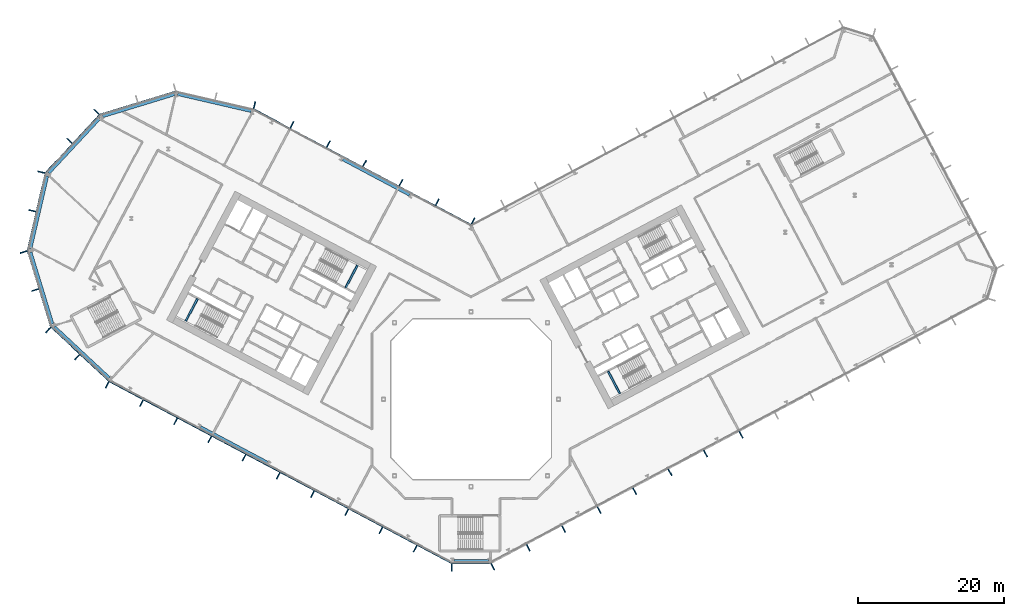
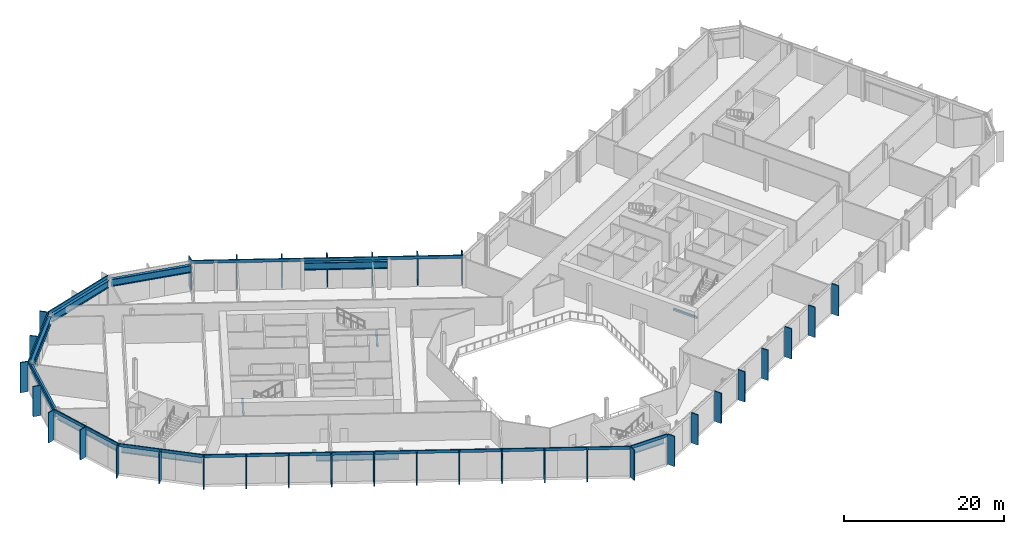
# One storey, part 7 of 32: 42 members, 12 beams, 10 elements without a shape of their own.
"""IFC4 building model written with IfcOpenShell, lengths in metres."""

from ifc_helpers import new_model, si_unit, direction, frame, origin, origin_2d, place, context, subcontext, project, spatial, rectangle, i_section, extrude, material, layer, layer_set, material_profile, profile_set, type_object, element, aggregate, save


model = new_model("IFC4")

# Units and contexts
model_context = context("Model", 3, precision=1e-05, world=origin(), true_north=direction((0.0, 1.0)))
body_context = subcontext(model_context, "Body", "Model", "MODEL_VIEW")
ifc_project = project(units=[si_unit("LENGTHUNIT", "METRE"), si_unit("AREAUNIT", "SQUARE_METRE"), si_unit("VOLUMEUNIT", "CUBIC_METRE"), si_unit("PLANEANGLEUNIT", "RADIAN"), si_unit("MASSUNIT", "GRAM", prefix="KILO")], contexts=[model_context])

# Site, building, storey
site_placement = place(None, origin())
site = spatial("IfcSite", under=ifc_project, at=site_placement, CompositionType="ELEMENT")
building_placement = place(site_placement, origin())
building = spatial("IfcBuilding", under=site, at=building_placement, Name="Cormorant Relay Tower", CompositionType="ELEMENT")
storey_placement = place(building_placement, frame((0.0, 0.0, 75.39990234375)))
storey = spatial("IfcBuildingStorey", under=building, at=storey_placement, Name="L14", CompositionType="ELEMENT", Elevation=75.39990234375)

# Curtain wall, member
ifc_material_1 = material(Name="Aluminium 6063-T6 anodised bronze", Category="aluminium")
ifc_layer = layer(ifc_material_1, 0.199951171875)
ifc_layer_set = layer_set([ifc_layer], Name="CW1 unitised bronze curtain wall with vertical fins")
curtain_wall_type = type_object("IfcCurtainWallType", Name="CW1 unitised bronze curtain wall with vertical fins", PredefinedType="NOTDEFINED", material=ifc_layer_set)
curtain_wall_1_placement = place(storey_placement, origin())
curtain_wall_1 = element("IfcCurtainWall", 1, at=curtain_wall_1_placement, inside=storey, type_object=curtain_wall_type, Name="CW1 curtain wall 1", PredefinedType="NOTDEFINED")
ifc_material_2 = material(Name="Aluminium 6063-T6 anodised bronze", Category="aluminium")
ifc_material_profile_1 = material_profile(ifc_material_2, rectangle(XDim=0.14990234375, YDim=1.0, at=origin_2d()), Name="AL 150x1000")
ifc_profile_set_1 = profile_set([ifc_material_profile_1], Name="Aluminium 6063-T6 anodised bronze")
member_type_1 = type_object("IfcMemberType", Name="CW1 bronze fin mullion 150 x 1000", PredefinedType="MULLION", material=ifc_profile_set_1)
member_1_placement = place(storey_placement, frame((-2.648681640625, -23.07568359375, 0.0), z_axis=(0.0, 0.0, 1.0), x_axis=(1.0, 0.0, 0.0)))
member_1 = element("IfcMember", 2, at=member_1_placement, type_object=member_type_1, Name="CW1 fin 1.1", PredefinedType="MULLION", context=body_context, shape_type="SweptSolid", body=[
    extrude(rectangle(XDim=0.14990234375, YDim=1.0, at=origin_2d()), origin(), (0.0, 0.0, 1.0), 4.60009765625),
])

# Curtain wall, members
curtain_wall_2_placement = place(storey_placement, origin())
curtain_wall_2 = element("IfcCurtainWall", 3, at=curtain_wall_2_placement, inside=storey, type_object=curtain_wall_type, Name="CW1 curtain wall 2", PredefinedType="NOTDEFINED")
member_2_placement = place(storey_placement, frame((2.9775390625, -22.99365234375, 0.0), z_axis=(0.0, 0.0, 1.0), x_axis=(0.882947592859, 0.469471562786, 0.0)))
member_2 = element("IfcMember", 4, at=member_2_placement, type_object=member_type_1, Name="CW1 fin 2.1", PredefinedType="MULLION", context=body_context, shape_type="SweptSolid", body=[
    extrude(rectangle(XDim=0.14990234375, YDim=1.0, at=origin_2d()), origin(), (0.0, 0.0, 1.0), 4.60009765625),
])
member_3_placement = place(storey_placement, frame((7.843994140625, -20.406005859375, 0.0), z_axis=(0.0, 0.0, 1.0), x_axis=(0.882947592859, 0.469471562786, 0.0)))
member_3 = element("IfcMember", 5, at=member_3_placement, type_object=member_type_1, Name="CW1 fin 2.2", PredefinedType="MULLION", context=body_context, shape_type="SweptSolid", body=[
    extrude(rectangle(XDim=0.14990234375, YDim=1.0, at=origin_2d()), origin(), (0.0, 0.0, 1.0), 4.60009765625),
])
member_4_placement = place(storey_placement, frame((12.710693359375, -17.818359375, 0.0), z_axis=(0.0, 0.0, 1.0), x_axis=(0.882947592859, 0.469471562786, 0.0)))
member_4 = element("IfcMember", 6, at=member_4_placement, type_object=member_type_1, Name="CW1 fin 2.3", PredefinedType="MULLION", context=body_context, shape_type="SweptSolid", body=[
    extrude(rectangle(XDim=0.14990234375, YDim=1.0, at=origin_2d()), origin(), (0.0, 0.0, 1.0), 4.60009765625),
])
member_5_placement = place(storey_placement, frame((17.577392578125, -15.230712890625, 0.0), z_axis=(0.0, 0.0, 1.0), x_axis=(0.882947592859, 0.469471562786, 0.0)))
member_5 = element("IfcMember", 7, at=member_5_placement, type_object=member_type_1, Name="CW1 fin 2.4", PredefinedType="MULLION", context=body_context, shape_type="SweptSolid", body=[
    extrude(rectangle(XDim=0.14990234375, YDim=1.0, at=origin_2d()), origin(), (0.0, 0.0, 1.0), 4.60009765625),
])
member_6_placement = place(storey_placement, frame((22.444091796875, -12.64306640625, 0.0), z_axis=(0.0, 0.0, 1.0), x_axis=(0.882947592859, 0.469471562786, 0.0)))
member_6 = element("IfcMember", 8, at=member_6_placement, type_object=member_type_1, Name="CW1 fin 2.5", PredefinedType="MULLION", context=body_context, shape_type="SweptSolid", body=[
    extrude(rectangle(XDim=0.14990234375, YDim=1.0, at=origin_2d()), origin(), (0.0, 0.0, 1.0), 4.60009765625),
])
member_7_placement = place(storey_placement, frame((27.310791015625, -10.055419921875, 0.0), z_axis=(0.0, 0.0, 1.0), x_axis=(0.882947592859, 0.469471562786, 0.0)))
member_7 = element("IfcMember", 9, at=member_7_placement, type_object=member_type_1, Name="CW1 fin 2.6", PredefinedType="MULLION", context=body_context, shape_type="SweptSolid", body=[
    extrude(rectangle(XDim=0.14990234375, YDim=1.0, at=origin_2d()), origin(), (0.0, 0.0, 1.0), 4.60009765625),
])
member_8_placement = place(storey_placement, frame((32.177490234375, -7.4677734375, 0.0), z_axis=(0.0, 0.0, 1.0), x_axis=(0.882947592859, 0.469471562786, 0.0)))
member_8 = element("IfcMember", 10, at=member_8_placement, type_object=member_type_1, Name="CW1 fin 2.7", PredefinedType="MULLION", context=body_context, shape_type="SweptSolid", body=[
    extrude(rectangle(XDim=0.14990234375, YDim=1.0, at=origin_2d()), origin(), (0.0, 0.0, 1.0), 4.60009765625),
])
member_9_placement = place(storey_placement, frame((37.044189453125, -4.8798828125, 0.0), z_axis=(0.0, 0.0, 1.0), x_axis=(0.882947592859, 0.469471562786, 0.0)))
member_9 = element("IfcMember", 11, at=member_9_placement, type_object=member_type_1, Name="CW1 fin 2.8", PredefinedType="MULLION", context=body_context, shape_type="SweptSolid", body=[
    extrude(rectangle(XDim=0.14990234375, YDim=1.0, at=origin_2d()), origin(), (0.0, 0.0, 1.0), 4.60009765625),
])
aggregate(curtain_wall_2, [member_2, member_3, member_4, member_5, member_6, member_7, member_8, member_9])

curtain_wall_3_placement = place(storey_placement, origin())
curtain_wall_3 = element("IfcCurtainWall", 12, at=curtain_wall_3_placement, inside=storey, type_object=curtain_wall_type, Name="CW1 curtain wall 7", PredefinedType="NOTDEFINED")
member_10_placement = place(storey_placement, frame((0.262451171875, 24.437255859375, 0.0), z_axis=(0.0, 0.0, 1.0), x_axis=(-0.882947592859, 0.469471562786, 0.0)))
member_10 = element("IfcMember", 13, at=member_10_placement, type_object=member_type_1, Name="CW1 fin 7.1", PredefinedType="MULLION", context=body_context, shape_type="SweptSolid", body=[
    extrude(rectangle(XDim=0.14990234375, YDim=1.0, at=origin_2d()), origin(), (0.0, 0.0, 1.0), 4.60009765625),
])
member_11_placement = place(storey_placement, frame((-4.650390625, 27.04931640625, 0.0), z_axis=(0.0, 0.0, 1.0), x_axis=(-0.882947592859, 0.469471562786, 0.0)))
member_11 = element("IfcMember", 14, at=member_11_placement, type_object=member_type_1, Name="CW1 fin 7.2", PredefinedType="MULLION", context=body_context, shape_type="SweptSolid", body=[
    extrude(rectangle(XDim=0.14990234375, YDim=1.0, at=origin_2d()), origin(), (0.0, 0.0, 1.0), 4.60009765625),
])
member_12_placement = place(storey_placement, frame((-9.62939453125, 29.69677734375, 0.0), z_axis=(0.0, 0.0, 1.0), x_axis=(-0.882947592859, 0.469471562786, 0.0)))
member_12 = element("IfcMember", 15, at=member_12_placement, type_object=member_type_1, Name="CW1 fin 7.3", PredefinedType="MULLION", context=body_context, shape_type="SweptSolid", body=[
    extrude(rectangle(XDim=0.14990234375, YDim=1.0, at=origin_2d()), origin(), (0.0, 0.0, 1.0), 4.60009765625),
])
member_13_placement = place(storey_placement, frame((-14.608154296875, 32.343994140625, 0.0), z_axis=(0.0, 0.0, 1.0), x_axis=(-0.882947592859, 0.469471562786, 0.0)))
member_13 = element("IfcMember", 16, at=member_13_placement, type_object=member_type_1, Name="CW1 fin 7.4", PredefinedType="MULLION", context=body_context, shape_type="SweptSolid", body=[
    extrude(rectangle(XDim=0.14990234375, YDim=1.0, at=origin_2d()), origin(), (0.0, 0.0, 1.0), 4.60009765625),
])
member_14_placement = place(storey_placement, frame((-19.587158203125, 34.991455078125, 0.0), z_axis=(0.0, 0.0, 1.0), x_axis=(-0.882947592859, 0.469471562786, 0.0)))
member_14 = element("IfcMember", 17, at=member_14_placement, type_object=member_type_1, Name="CW1 fin 7.5", PredefinedType="MULLION", context=body_context, shape_type="SweptSolid", body=[
    extrude(rectangle(XDim=0.14990234375, YDim=1.0, at=origin_2d()), origin(), (0.0, 0.0, 1.0), 4.60009765625),
])
member_15_placement = place(storey_placement, frame((-24.566162109375, 37.638916015625, 0.0), z_axis=(0.0, 0.0, 1.0), x_axis=(-0.882947592859, 0.469471562786, 0.0)))
member_15 = element("IfcMember", 18, at=member_15_placement, type_object=member_type_1, Name="CW1 fin 7.6", PredefinedType="MULLION", context=body_context, shape_type="SweptSolid", body=[
    extrude(rectangle(XDim=0.14990234375, YDim=1.0, at=origin_2d()), origin(), (0.0, 0.0, 1.0), 4.60009765625),
])

# Curtain wall, member
curtain_wall_4_placement = place(storey_placement, origin())
curtain_wall_4 = element("IfcCurtainWall", 19, at=curtain_wall_4_placement, inside=storey, type_object=curtain_wall_type, Name="CW1 curtain wall 8", PredefinedType="NOTDEFINED")
member_16_placement = place(storey_placement, frame((-29.71630859375, 40.35009765625, 0.0), z_axis=(0.0, 0.0, 1.0), x_axis=(-0.974370064785, 0.224951054344, 0.0)))
member_16 = element("IfcMember", 20, at=member_16_placement, type_object=member_type_1, Name="CW1 fin 8.1", PredefinedType="MULLION", context=body_context, shape_type="SweptSolid", body=[
    extrude(rectangle(XDim=0.14990234375, YDim=1.0, at=origin_2d()), origin(), (0.0, 0.0, 1.0), 4.60009765625),
])
aggregate(curtain_wall_4, [member_16])

# Curtain wall, members
curtain_wall_5_placement = place(storey_placement, origin())
curtain_wall_5 = element("IfcCurtainWall", 21, at=curtain_wall_5_placement, inside=storey, type_object=curtain_wall_type, Name="CW1 curtain wall 10", PredefinedType="NOTDEFINED")
member_17_placement = place(storey_placement, frame((-51.372802734375, 39.41259765625, 0.0), z_axis=(0.0, 0.0, 1.0), x_axis=(-0.681998360062, -0.731353701619, 0.0)))
member_17 = element("IfcMember", 22, at=member_17_placement, type_object=member_type_1, Name="CW1 fin 10.1", PredefinedType="MULLION", context=body_context, shape_type="SweptSolid", body=[
    extrude(rectangle(XDim=0.14990234375, YDim=1.0, at=origin_2d()), origin(), (0.0, 0.0, 1.0), 4.60009765625),
])
member_18_placement = place(storey_placement, frame((-55.07958984375, 35.4375, 0.0), z_axis=(0.0, 0.0, 1.0), x_axis=(-0.681998360062, -0.731353701619, 0.0)))
member_18 = element("IfcMember", 23, at=member_18_placement, type_object=member_type_1, Name="CW1 fin 10.2", PredefinedType="MULLION", context=body_context, shape_type="SweptSolid", body=[
    extrude(rectangle(XDim=0.14990234375, YDim=1.0, at=origin_2d()), origin(), (0.0, 0.0, 1.0), 4.60009765625),
])

curtain_wall_6_placement = place(storey_placement, origin())
curtain_wall_6 = element("IfcCurtainWall", 24, at=curtain_wall_6_placement, inside=storey, type_object=curtain_wall_type, Name="CW1 curtain wall 11", PredefinedType="NOTDEFINED")
member_19_placement = place(storey_placement, frame((-58.95654296875, 31.142578125, 0.0), z_axis=(0.0, 0.0, 1.0), x_axis=(-0.224951054344, -0.974370064785, 0.0)))
member_19 = element("IfcMember", 25, at=member_19_placement, type_object=member_type_1, Name="CW1 fin 11.1", PredefinedType="MULLION", context=body_context, shape_type="SweptSolid", body=[
    extrude(rectangle(XDim=0.14990234375, YDim=1.0, at=origin_2d()), origin(), (0.0, 0.0, 1.0), 4.60009765625),
])
member_20_placement = place(storey_placement, frame((-60.17919921875, 25.8466796875, 0.0), z_axis=(0.0, 0.0, 1.0), x_axis=(-0.224951054344, -0.974370064785, 0.0)))
member_20 = element("IfcMember", 26, at=member_20_placement, type_object=member_type_1, Name="CW1 fin 11.2", PredefinedType="MULLION", context=body_context, shape_type="SweptSolid", body=[
    extrude(rectangle(XDim=0.14990234375, YDim=1.0, at=origin_2d()), origin(), (0.0, 0.0, 1.0), 4.60009765625),
])

curtain_wall_7_placement = place(storey_placement, origin())
curtain_wall_7 = element("IfcCurtainWall", 27, at=curtain_wall_7_placement, inside=storey, type_object=curtain_wall_type, Name="CW1 curtain wall 12", PredefinedType="NOTDEFINED")
member_21_placement = place(storey_placement, frame((-61.389404296875, 20.188720703125, 0.0), z_axis=(0.0, 0.0, 1.0), x_axis=(0.292371704723, -0.956304755963, 0.0)))
member_21 = element("IfcMember", 28, at=member_21_placement, type_object=member_type_1, Name="CW1 fin 12.1", PredefinedType="MULLION", context=body_context, shape_type="SweptSolid", body=[
    extrude(rectangle(XDim=0.14990234375, YDim=1.0, at=origin_2d()), origin(), (0.0, 0.0, 1.0), 4.60009765625),
])
member_22_placement = place(storey_placement, frame((-59.80029296875, 14.990966796875, 0.0), z_axis=(0.0, 0.0, 1.0), x_axis=(0.292371704723, -0.956304755963, 0.0)))
member_22 = element("IfcMember", 29, at=member_22_placement, type_object=member_type_1, Name="CW1 fin 12.2", PredefinedType="MULLION", context=body_context, shape_type="SweptSolid", body=[
    extrude(rectangle(XDim=0.14990234375, YDim=1.0, at=origin_2d()), origin(), (0.0, 0.0, 1.0), 4.60009765625),
])

curtain_wall_8_placement = place(storey_placement, origin())
curtain_wall_8 = element("IfcCurtainWall", 30, at=curtain_wall_8_placement, inside=storey, type_object=curtain_wall_type, Name="CW1 curtain wall 13", PredefinedType="NOTDEFINED")
member_23_placement = place(storey_placement, frame((-58.01904296875, 9.486083984375, 0.0), z_axis=(0.0, 0.0, 1.0), x_axis=(0.731353701619, -0.681998360062, 0.0)))
member_23 = element("IfcMember", 31, at=member_23_placement, type_object=member_type_1, Name="CW1 fin 13.1", PredefinedType="MULLION", context=body_context, shape_type="SweptSolid", body=[
    extrude(rectangle(XDim=0.14990234375, YDim=1.0, at=origin_2d()), origin(), (0.0, 0.0, 1.0), 4.60009765625),
])
member_24_placement = place(storey_placement, frame((-54.0439453125, 5.779296875, 0.0), z_axis=(0.0, 0.0, 1.0), x_axis=(0.731353701619, -0.681998360062, 0.0)))
member_24 = element("IfcMember", 32, at=member_24_placement, type_object=member_type_1, Name="CW1 fin 13.2", PredefinedType="MULLION", context=body_context, shape_type="SweptSolid", body=[
    extrude(rectangle(XDim=0.14990234375, YDim=1.0, at=origin_2d()), origin(), (0.0, 0.0, 1.0), 4.60009765625),
])

curtain_wall_9_placement = place(storey_placement, origin())
curtain_wall_9 = element("IfcCurtainWall", 33, at=curtain_wall_9_placement, inside=storey, type_object=curtain_wall_type, Name="CW1 curtain wall 14", PredefinedType="NOTDEFINED")
member_25_placement = place(storey_placement, frame((-49.920166015625, 1.96630859375, 0.0), z_axis=(0.0, 0.0, 1.0), x_axis=(0.882947592859, -0.469471562786, 0.0)))
member_25 = element("IfcMember", 34, at=member_25_placement, type_object=member_type_1, Name="CW1 fin 14.1", PredefinedType="MULLION", context=body_context, shape_type="SweptSolid", body=[
    extrude(rectangle(XDim=0.14990234375, YDim=1.0, at=origin_2d()), origin(), (0.0, 0.0, 1.0), 4.60009765625),
])
member_26_placement = place(storey_placement, frame((-45.225830078125, -0.52978515625, 0.0), z_axis=(0.0, 0.0, 1.0), x_axis=(0.882947592859, -0.469471562786, 0.0)))
member_26 = element("IfcMember", 35, at=member_26_placement, type_object=member_type_1, Name="CW1 fin 14.2", PredefinedType="MULLION", context=body_context, shape_type="SweptSolid", body=[
    extrude(rectangle(XDim=0.14990234375, YDim=1.0, at=origin_2d()), origin(), (0.0, 0.0, 1.0), 4.60009765625),
])
member_27_placement = place(storey_placement, frame((-40.531494140625, -3.025634765625, 0.0), z_axis=(0.0, 0.0, 1.0), x_axis=(0.882947592859, -0.469471562786, 0.0)))
member_27 = element("IfcMember", 36, at=member_27_placement, type_object=member_type_1, Name="CW1 fin 14.3", PredefinedType="MULLION", context=body_context, shape_type="SweptSolid", body=[
    extrude(rectangle(XDim=0.14990234375, YDim=1.0, at=origin_2d()), origin(), (0.0, 0.0, 1.0), 4.60009765625),
])
member_28_placement = place(storey_placement, frame((-35.83740234375, -5.521728515625, 0.0), z_axis=(0.0, 0.0, 1.0), x_axis=(0.882947592859, -0.469471562786, 0.0)))
member_28 = element("IfcMember", 37, at=member_28_placement, type_object=member_type_1, Name="CW1 fin 14.4", PredefinedType="MULLION", context=body_context, shape_type="SweptSolid", body=[
    extrude(rectangle(XDim=0.14990234375, YDim=1.0, at=origin_2d()), origin(), (0.0, 0.0, 1.0), 4.60009765625),
])
member_29_placement = place(storey_placement, frame((-31.14306640625, -8.017578125, 0.0), z_axis=(0.0, 0.0, 1.0), x_axis=(0.882947592859, -0.469471562786, 0.0)))
member_29 = element("IfcMember", 38, at=member_29_placement, type_object=member_type_1, Name="CW1 fin 14.5", PredefinedType="MULLION", context=body_context, shape_type="SweptSolid", body=[
    extrude(rectangle(XDim=0.14990234375, YDim=1.0, at=origin_2d()), origin(), (0.0, 0.0, 1.0), 4.60009765625),
])
member_30_placement = place(storey_placement, frame((-26.44873046875, -10.513671875, 0.0), z_axis=(0.0, 0.0, 1.0), x_axis=(0.882947592859, -0.469471562786, 0.0)))
member_30 = element("IfcMember", 39, at=member_30_placement, type_object=member_type_1, Name="CW1 fin 14.6", PredefinedType="MULLION", context=body_context, shape_type="SweptSolid", body=[
    extrude(rectangle(XDim=0.14990234375, YDim=1.0, at=origin_2d()), origin(), (0.0, 0.0, 1.0), 4.60009765625),
])
member_31_placement = place(storey_placement, frame((-21.754638671875, -13.009765625, 0.0), z_axis=(0.0, 0.0, 1.0), x_axis=(0.882947592859, -0.469471562786, 0.0)))
member_31 = element("IfcMember", 40, at=member_31_placement, type_object=member_type_1, Name="CW1 fin 14.7", PredefinedType="MULLION", context=body_context, shape_type="SweptSolid", body=[
    extrude(rectangle(XDim=0.14990234375, YDim=1.0, at=origin_2d()), origin(), (0.0, 0.0, 1.0), 4.60009765625),
])
member_32_placement = place(storey_placement, frame((-17.060302734375, -15.505615234375, 0.0), z_axis=(0.0, 0.0, 1.0), x_axis=(0.882947592859, -0.469471562786, 0.0)))
member_32 = element("IfcMember", 41, at=member_32_placement, type_object=member_type_1, Name="CW1 fin 14.8", PredefinedType="MULLION", context=body_context, shape_type="SweptSolid", body=[
    extrude(rectangle(XDim=0.14990234375, YDim=1.0, at=origin_2d()), origin(), (0.0, 0.0, 1.0), 4.60009765625),
])
member_33_placement = place(storey_placement, frame((-12.365966796875, -18.001708984375, 0.0), z_axis=(0.0, 0.0, 1.0), x_axis=(0.882947592859, -0.469471562786, 0.0)))
member_33 = element("IfcMember", 42, at=member_33_placement, type_object=member_type_1, Name="CW1 fin 14.9", PredefinedType="MULLION", context=body_context, shape_type="SweptSolid", body=[
    extrude(rectangle(XDim=0.14990234375, YDim=1.0, at=origin_2d()), origin(), (0.0, 0.0, 1.0), 4.60009765625),
])
member_34_placement = place(storey_placement, frame((-7.671630859375, -20.49755859375, 0.0), z_axis=(0.0, 0.0, 1.0), x_axis=(0.882947592859, -0.469471562786, 0.0)))
member_34 = element("IfcMember", 43, at=member_34_placement, type_object=member_type_1, Name="CW1 fin 14.10", PredefinedType="MULLION", context=body_context, shape_type="SweptSolid", body=[
    extrude(rectangle(XDim=0.14990234375, YDim=1.0, at=origin_2d()), origin(), (0.0, 0.0, 1.0), 4.60009765625),
])

# Member
ifc_material_3 = material(Name="Aluminium 6063-T6 anodised bronze", Category="aluminium")
ifc_material_profile_2 = material_profile(ifc_material_3, rectangle(XDim=0.159912109375, YDim=0.449951171875, at=origin_2d()), Name="AL 160x450")
ifc_profile_set_2 = profile_set([ifc_material_profile_2], Name="Aluminium 6063-T6 anodised bronze")
member_type_2 = type_object("IfcMemberType", Name="CW1 bronze transom 160 x 450", PredefinedType="USERDEFINED", material=ifc_profile_set_2)
member_35_placement = place(storey_placement, frame((-2.648681640625, -22.49560546875, 4.375), z_axis=(1.0, 0.0, 0.0), x_axis=(0.0, 1.0, 0.0)))
member_35 = element("IfcMember", 44, at=member_35_placement, type_object=member_type_2, Name="CW1 transom 1", ObjectType="TRANSOM", PredefinedType="USERDEFINED", context=body_context, shape_type="SweptSolid", body=[
    extrude(rectangle(XDim=0.159912109375, YDim=0.449951171875, at=origin_2d()), origin(), (0.0, 0.0, 1.0), 5.29736328125),
])

aggregate(curtain_wall_1, [member_1, member_35])

member_36_placement = place(storey_placement, frame((0.056396484375, 23.889892578125, 4.375), z_axis=(-0.882946280328, 0.46947403129, 0.0), x_axis=(-0.46947403129, -0.882946280328, 0.0)))
member_36 = element("IfcMember", 45, at=member_36_placement, type_object=member_type_2, Name="CW1 transom 7", ObjectType="TRANSOM", PredefinedType="USERDEFINED", context=body_context, shape_type="SweptSolid", body=[
    extrude(rectangle(XDim=0.159912109375, YDim=0.449951171875, at=origin_2d()), origin(), (0.0, 0.0, 1.0), 33.834228515625),
])

aggregate(curtain_wall_3, [member_10, member_11, member_12, member_13, member_14, member_15, member_36])

# Curtain wall, member
curtain_wall_10_placement = place(storey_placement, origin())
curtain_wall_10 = element("IfcCurtainWall", 46, at=curtain_wall_10_placement, inside=storey, type_object=curtain_wall_type, Name="CW1 curtain wall 9", PredefinedType="NOTDEFINED")
member_37_placement = place(storey_placement, frame((-40.50048828125, 42.228271484375, 4.375), z_axis=(-0.956304833932, -0.292371449698, 0.0), x_axis=(0.292371449698, -0.956304833932, 0.0)))
member_37 = element("IfcMember", 47, at=member_37_placement, type_object=member_type_2, Name="CW1 transom 9", ObjectType="TRANSOM", PredefinedType="USERDEFINED", context=body_context, shape_type="SweptSolid", body=[
    extrude(rectangle(XDim=0.159912109375, YDim=0.449951171875, at=origin_2d()), origin(), (0.0, 0.0, 1.0), 10.87060546875),
])
aggregate(curtain_wall_10, [member_37])

# Member
member_38_placement = place(storey_placement, frame((-50.94873046875, 39.01708984375, 4.375), z_axis=(-0.681993299437, -0.731358420696, 0.0), x_axis=(0.731358420696, -0.681993299437, 0.0)))
member_38 = element("IfcMember", 48, at=member_38_placement, type_object=member_type_2, Name="CW1 transom 10", ObjectType="TRANSOM", PredefinedType="USERDEFINED", context=body_context, shape_type="SweptSolid", body=[
    extrude(rectangle(XDim=0.159912109375, YDim=0.449951171875, at=origin_2d()), origin(), (0.0, 0.0, 1.0), 10.870361328125),
])

aggregate(curtain_wall_5, [member_17, member_18, member_38])

member_39_placement = place(storey_placement, frame((-58.3916015625, 31.01220703125, 4.375), z_axis=(-0.22495136131, -0.974369993916, 0.0), x_axis=(0.974369993916, -0.22495136131, 0.0)))
member_39 = element("IfcMember", 49, at=member_39_placement, type_object=member_type_2, Name="CW1 transom 11", ObjectType="TRANSOM", PredefinedType="USERDEFINED", context=body_context, shape_type="SweptSolid", body=[
    extrude(rectangle(XDim=0.159912109375, YDim=0.449951171875, at=origin_2d()), origin(), (0.0, 0.0, 1.0), 10.870361328125),
])

aggregate(curtain_wall_6, [member_19, member_20, member_39])

member_40_placement = place(storey_placement, frame((-60.834716796875, 20.358154296875, 4.375), z_axis=(0.292377729282, -0.95630291405, 0.0), x_axis=(0.95630291405, 0.292377729282, 0.0)))
member_40 = element("IfcMember", 50, at=member_40_placement, type_object=member_type_2, Name="CW1 transom 12", ObjectType="TRANSOM", PredefinedType="USERDEFINED", context=body_context, shape_type="SweptSolid", body=[
    extrude(rectangle(XDim=0.159912109375, YDim=0.449951171875, at=origin_2d()), origin(), (0.0, 0.0, 1.0), 10.870361328125),
])

aggregate(curtain_wall_7, [member_21, member_22, member_40])

member_41_placement = place(storey_placement, frame((-57.62353515625, 9.91015625, 4.375), z_axis=(0.731358420696, -0.681993299437, 0.0), x_axis=(0.681993299437, 0.731358420696, 0.0)))
member_41 = element("IfcMember", 51, at=member_41_placement, type_object=member_type_2, Name="CW1 transom 13", ObjectType="TRANSOM", PredefinedType="USERDEFINED", context=body_context, shape_type="SweptSolid", body=[
    extrude(rectangle(XDim=0.159912109375, YDim=0.449951171875, at=origin_2d()), origin(), (0.0, 0.0, 1.0), 10.870361328125),
])

aggregate(curtain_wall_8, [member_23, member_24, member_41])

member_42_placement = place(storey_placement, frame((-49.64794921875, 2.478515625, 4.375), z_axis=(0.882947642542, -0.469471469346, 0.0), x_axis=(0.469471469346, 0.882947642542, 0.0)))
member_42 = element("IfcMember", 52, at=member_42_placement, type_object=member_type_2, Name="CW1 transom 14", ObjectType="TRANSOM", PredefinedType="USERDEFINED", context=body_context, shape_type="SweptSolid", body=[
    extrude(rectangle(XDim=0.159912109375, YDim=0.449951171875, at=origin_2d()), origin(), (0.0, 0.0, 1.0), 53.166015625),
])

aggregate(curtain_wall_9, [member_25, member_26, member_27, member_28, member_29, member_30, member_31, member_32, member_33, member_34, member_42])

# Beams
ifc_material_4 = material(Name="Steel ASTM A992 (Fy 345 MPa)", Category="steel")
ifc_material_profile_3 = material_profile(ifc_material_4, i_section(OverallWidth=0.40380859375, OverallDepth=1.11767578125, WebThickness=0.026123046875, FlangeThickness=0.044921875, FilletRadius=0.02001953125, at=origin_2d()), Name="W1100x499")
ifc_profile_set_3 = profile_set([ifc_material_profile_3], Name="Steel ASTM A992 (Fy 345 MPa)")
beam_type_1 = type_object("IfcBeamType", Name="Spandrel W1100x499", PredefinedType="SPANDREL", material=ifc_profile_set_3)
beam_1_placement = place(storey_placement, frame((-2.3486328125, -22.173583984375, 3.641357421875), z_axis=(1.0, 0.0, 0.0), x_axis=(0.0, 1.0, 0.0)))
element("IfcBeam", 53, at=beam_1_placement, inside=storey, type_object=beam_type_1, Name="Spandrel beam L14-001", PredefinedType="SPANDREL", context=body_context, shape_type="SweptSolid", body=[
    extrude(i_section(OverallWidth=0.40380859375, OverallDepth=1.11767578125, WebThickness=0.026123046875, FlangeThickness=0.044921875, FilletRadius=0.02001953125, at=origin_2d()), origin(), (0.0, 0.0, 1.0), 4.736083984375),
])
beam_2_placement = place(storey_placement, frame((-8.435302734375, 28.040283203125, 3.641357421875), z_axis=(-0.882946891921, 0.469472881056, 0.0), x_axis=(-0.469472881056, -0.882946891921, 0.0)))
element("IfcBeam", 54, at=beam_2_placement, inside=storey, type_object=beam_type_1, Name="Spandrel beam L14-007", PredefinedType="SPANDREL", context=body_context, shape_type="SweptSolid", body=[
    extrude(i_section(OverallWidth=0.40380859375, OverallDepth=1.11767578125, WebThickness=0.026123046875, FlangeThickness=0.044921875, FilletRadius=0.02001953125, at=origin_2d()), origin(), (0.0, 0.0, 1.0), 10.376220703125),
])
beam_3_placement = place(storey_placement, frame((-30.171142578125, 39.529541015625, 3.641357421875), z_axis=(-0.974368523335, 0.224957730996, 0.0), x_axis=(-0.224957730996, -0.974368523335, 0.0)))
element("IfcBeam", 55, at=beam_3_placement, inside=storey, type_object=beam_type_1, Name="Spandrel beam L14-008", PredefinedType="SPANDREL", context=body_context, shape_type="SweptSolid", body=[
    extrude(i_section(OverallWidth=0.40380859375, OverallDepth=1.11767578125, WebThickness=0.026123046875, FlangeThickness=0.044921875, FilletRadius=0.02001953125, at=origin_2d()), origin(), (0.0, 0.0, 1.0), 10.346923828125),
])
beam_4_placement = place(storey_placement, frame((-40.70166015625, 41.830078125, 3.641357421875), z_axis=(-0.956304442866, -0.292372728814, 0.0), x_axis=(0.292372728814, -0.956304442866, 0.0)))
element("IfcBeam", 56, at=beam_4_placement, inside=storey, type_object=beam_type_1, Name="Spandrel beam L14-009", PredefinedType="SPANDREL", context=body_context, shape_type="SweptSolid", body=[
    extrude(i_section(OverallWidth=0.40380859375, OverallDepth=1.11767578125, WebThickness=0.026123046875, FlangeThickness=0.044921875, FilletRadius=0.02001953125, at=origin_2d()), origin(), (0.0, 0.0, 1.0), 10.297607421875),
])
for number, where, z_axis, x_axis, name in (
    (57, (-50.924072265625, 38.571533203125, 3.641357421875), (-0.681993790146, -0.731357963108, 0.0), (0.731357963108, -0.681993790146, 0.0), "Spandrel beam L14-010"),
    (58, (-58.147216796875, 30.638671875, 3.641357421875), (-0.224939161738, -0.974372810333, 0.0), (0.974372810333, -0.224939161738, 0.0), "Spandrel beam L14-011"),
):
    element("IfcBeam", number, at=place(storey_placement, frame(where, z_axis=z_axis, x_axis=x_axis)), inside=storey, type_object=beam_type_1, Name=name, PredefinedType="SPANDREL", context=body_context, shape_type="SweptSolid", body=[
        extrude(i_section(OverallWidth=0.40380859375, OverallDepth=1.11767578125, WebThickness=0.026123046875, FlangeThickness=0.044921875, FilletRadius=0.02001953125, at=origin_2d()), origin(), (0.0, 0.0, 1.0), 10.296875),
    ])
beam_5_placement = place(storey_placement, frame((-60.4365234375, 20.1572265625, 3.641357421875), z_axis=(0.292372728814, -0.956304442866, 0.0), x_axis=(0.956304442866, 0.292372728814, 0.0)))
element("IfcBeam", 59, at=beam_5_placement, inside=storey, type_object=beam_type_1, Name="Spandrel beam L14-012", PredefinedType="SPANDREL", context=body_context, shape_type="SweptSolid", body=[
    extrude(i_section(OverallWidth=0.40380859375, OverallDepth=1.11767578125, WebThickness=0.026123046875, FlangeThickness=0.044921875, FilletRadius=0.02001953125, at=origin_2d()), origin(), (0.0, 0.0, 1.0), 10.297607421875),
])
beam_6_placement = place(storey_placement, frame((-57.177734375, 9.934814453125, 3.641357421875), z_axis=(0.731345431457, -0.682007228617, 0.0), x_axis=(0.682007228617, 0.731345431457, 0.0)))
element("IfcBeam", 60, at=beam_6_placement, inside=storey, type_object=beam_type_1, Name="Spandrel beam L14-013", PredefinedType="SPANDREL", context=body_context, shape_type="SweptSolid", body=[
    extrude(i_section(OverallWidth=0.40380859375, OverallDepth=1.11767578125, WebThickness=0.026123046875, FlangeThickness=0.044921875, FilletRadius=0.02001953125, at=origin_2d()), origin(), (0.0, 0.0, 1.0), 10.322265625),
])
beam_7_placement = place(storey_placement, frame((-37.124755859375, -3.815673828125, 3.641357421875), z_axis=(0.882946891921, -0.469472881056, 0.0), x_axis=(0.469472881056, 0.882946891921, 0.0)))
element("IfcBeam", 61, at=beam_7_placement, inside=storey, type_object=beam_type_1, Name="Spandrel beam L14-014", PredefinedType="SPANDREL", context=body_context, shape_type="SweptSolid", body=[
    extrude(i_section(OverallWidth=0.40380859375, OverallDepth=1.11767578125, WebThickness=0.026123046875, FlangeThickness=0.044921875, FilletRadius=0.02001953125, at=origin_2d()), origin(), (0.0, 0.0, 1.0), 10.376220703125),
])
ifc_material_5 = material(Name="Concrete 50 MPa", Category="concrete")
ifc_material_profile_4 = material_profile(ifc_material_5, rectangle(XDim=0.25, YDim=0.300048828125, at=origin_2d()), Name="RC 250x300")
ifc_profile_set_4 = profile_set([ifc_material_profile_4], Name="Concrete 50 MPa")
beam_type_2 = type_object("IfcBeamType", Name="Stair landing ledge beam 250x300", PredefinedType="BEAM", material=ifc_profile_set_4)
beam_8_placement = place(storey_placement, frame((-17.215087890625, 15.325927734375, 1.9501953125), z_axis=(0.469519084434, 0.88292232351, 0.0), x_axis=(-0.88292232351, 0.469519084434, 0.0)))
element("IfcBeam", 62, at=beam_8_placement, inside=storey, type_object=beam_type_2, Name="A1 landing ledge beam", PredefinedType="BEAM", context=body_context, shape_type="SweptSolid", body=[
    extrude(rectangle(XDim=0.25, YDim=0.300048828125, at=origin_2d()), origin(), (0.0, 0.0, 1.0), 3.449951171875),
])
for number, where, z_axis, x_axis, name in (
    (63, (-37.52783203125, 13.781494140625, 1.9501953125), (-0.469434585424, -0.882967253078, 0.0), (0.882967253078, -0.469434585424, 0.0), "A2 landing ledge beam"),
    (64, (18.80029296875, 3.823974609375, 1.9501953125), (0.469489750874, -0.88293792184, 0.0), (0.88293792184, 0.469489750874, 0.0), "B1 landing ledge beam"),
):
    element("IfcBeam", number, at=place(storey_placement, frame(where, z_axis=z_axis, x_axis=x_axis)), inside=storey, type_object=beam_type_2, Name=name, PredefinedType="BEAM", context=body_context, shape_type="SweptSolid", body=[
        extrude(rectangle(XDim=0.25, YDim=0.300048828125, at=origin_2d()), origin(), (0.0, 0.0, 1.0), 3.4501953125),
    ])

save(model, "model.ifc")
